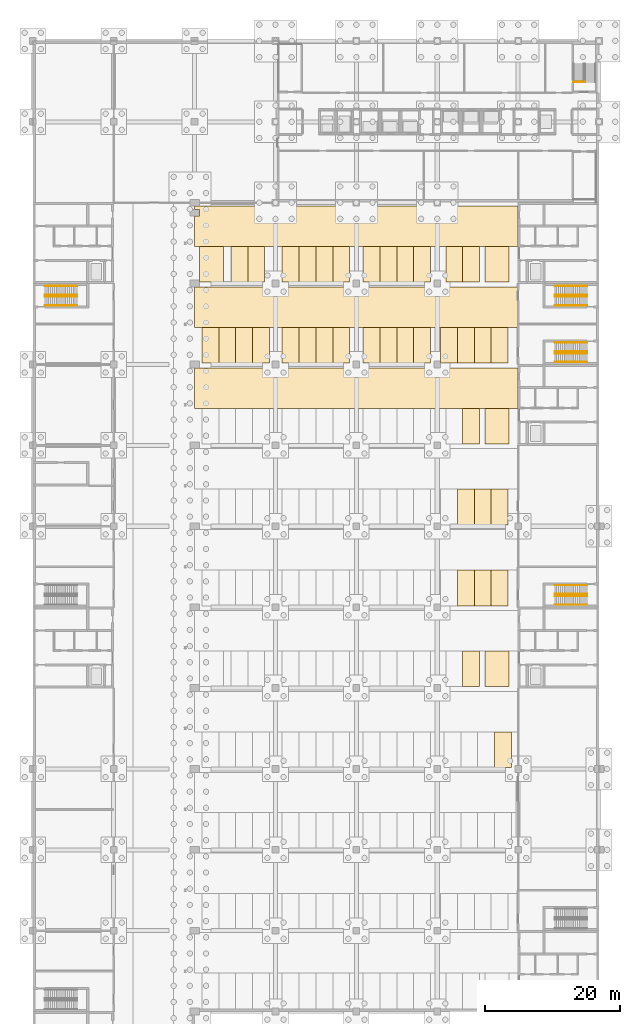
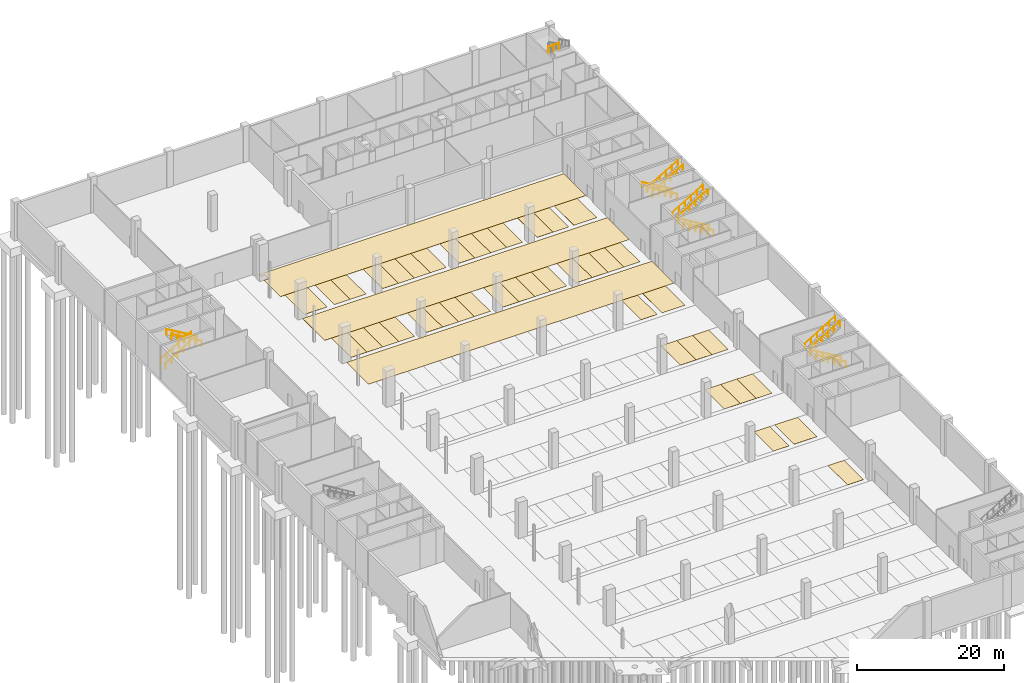
# One storey, part 32 of 34: 44 coverings, 17 railings.
"""IFC4 building model written with IfcOpenShell, lengths in metres."""

from ifc_helpers import new_model, si_unit, direction, frame, origin, origin_2d, place, context, subcontext, project, spatial, polyline, circle, outline, extrude, material, layer, layer_set, constituent, constituent_set, type_object, element, save


model = new_model("IFC4")

# Units and contexts
model_context = context("Model", 3, precision=1e-05, world=origin(), true_north=direction((0.0, 1.0)))
body_context = subcontext(model_context, "Body", "Model", "MODEL_VIEW")
ifc_project = project(units=[si_unit("LENGTHUNIT", "METRE"), si_unit("AREAUNIT", "SQUARE_METRE"), si_unit("VOLUMEUNIT", "CUBIC_METRE"), si_unit("PLANEANGLEUNIT", "RADIAN"), si_unit("MASSUNIT", "GRAM", prefix="KILO")], contexts=[model_context])

# Site, building, storey
site_placement = place(None, origin())
site = spatial("IfcSite", under=ifc_project, at=site_placement, CompositionType="ELEMENT")
building_placement = place(site_placement, origin())
building = spatial("IfcBuilding", under=site, at=building_placement, Name="Lilac Gate Convention Centre", CompositionType="ELEMENT")
storey_placement = place(building_placement, frame((0.0, 0.0, -6.0)))
storey = spatial("IfcBuildingStorey", under=building, at=storey_placement, Name="B1", CompositionType="ELEMENT", Elevation=-6.0)

# Coverings
ifc_material_1 = material(Name="Floor marking paint")
ifc_layer_1 = layer(ifc_material_1, 0.010009765625)
ifc_layer_set_1 = layer_set([ifc_layer_1], Name="Floor marking paint")
covering_type_1 = type_object("IfcCoveringType", Name="Accessible parking bay marking 3600 x 5300", PredefinedType="FLOORING", material=ifc_layer_set_1)
covering_1_placement = place(storey_placement, origin())
element("IfcCovering", 1, at=covering_1_placement, inside=storey, type_object=covering_type_1, Name="Accessible parking bay marking 3", PredefinedType="FLOORING", context=body_context, shape_type="SweptSolid", body=[
    extrude(outline(polyline([(73.050048828125, 150.199951171875), (76.64990234375, 150.199951171875), (76.64990234375, 155.5), (73.050048828125, 155.5), (73.050048828125, 150.199951171875)])), origin(), (0.0, 0.0, 1.0), 0.010009765625),
])
covering_2_placement = place(storey_placement, origin())
element("IfcCovering", 2, at=covering_2_placement, inside=storey, type_object=covering_type_1, Name="Accessible parking bay marking 4", PredefinedType="FLOORING", context=body_context, shape_type="SweptSolid", body=[
    extrude(outline(polyline([(73.050048828125, 186.199951171875), (76.64990234375, 186.199951171875), (76.64990234375, 191.5), (73.050048828125, 191.5), (73.050048828125, 186.199951171875)])), origin(), (0.0, 0.0, 1.0), 0.010009765625),
])
covering_3_placement = place(storey_placement, origin())
element("IfcCovering", 3, at=covering_3_placement, inside=storey, type_object=covering_type_1, Name="Accessible parking bay marking 5", PredefinedType="FLOORING", context=body_context, shape_type="SweptSolid", body=[
    extrude(outline(polyline([(30.699951171875, 210.199951171875), (34.300048828125, 210.199951171875), (34.300048828125, 215.5), (30.699951171875, 215.5), (30.699951171875, 210.199951171875)])), origin(), (0.0, 0.0, 1.0), 0.010009765625),
])
covering_4_placement = place(storey_placement, origin())
element("IfcCovering", 4, at=covering_4_placement, inside=storey, type_object=covering_type_1, Name="Accessible parking bay marking 6", PredefinedType="FLOORING", context=body_context, shape_type="SweptSolid", body=[
    extrude(outline(polyline([(73.050048828125, 210.199951171875), (76.64990234375, 210.199951171875), (76.64990234375, 215.5), (73.050048828125, 215.5), (73.050048828125, 210.199951171875)])), origin(), (0.0, 0.0, 1.0), 0.010009765625),
])
ifc_layer_2 = layer(ifc_material_1, 0.010009765625)
ifc_layer_set_2 = layer_set([ifc_layer_2], Name="Floor marking paint")
covering_type_2 = type_object("IfcCoveringType", Name="Parking bay marking 2500 x 5300", PredefinedType="FLOORING", material=ifc_layer_set_2)
covering_5_placement = place(storey_placement, origin())
element("IfcCovering", 5, at=covering_5_placement, inside=storey, type_object=covering_type_2, Name="Parking bay marking 62", PredefinedType="FLOORING", context=body_context, shape_type="SweptSolid", body=[
    extrude(outline(polyline([(74.5, 138.199951171875), (77.0, 138.199951171875), (77.0, 143.5), (74.5, 143.5), (74.5, 138.199951171875)])), origin(), (0.0, 0.0, 1.0), 0.010009765625),
])
covering_6_placement = place(storey_placement, origin())
element("IfcCovering", 6, at=covering_6_placement, inside=storey, type_object=covering_type_2, Name="Parking bay marking 74", PredefinedType="FLOORING", context=body_context, shape_type="SweptSolid", body=[
    extrude(outline(polyline([(69.77490234375, 150.199951171875), (72.27490234375, 150.199951171875), (72.27490234375, 155.5), (69.77490234375, 155.5), (69.77490234375, 150.199951171875)])), origin(), (0.0, 0.0, 1.0), 0.010009765625),
])
covering_7_placement = place(storey_placement, origin())
element("IfcCovering", 7, at=covering_7_placement, inside=storey, type_object=covering_type_2, Name="Parking bay marking 88", PredefinedType="FLOORING", context=body_context, shape_type="SweptSolid", body=[
    extrude(outline(polyline([(69.0, 162.199951171875), (71.5, 162.199951171875), (71.5, 167.5), (69.0, 167.5), (69.0, 162.199951171875)])), origin(), (0.0, 0.0, 1.0), 0.010009765625),
])
covering_8_placement = place(storey_placement, origin())
element("IfcCovering", 8, at=covering_8_placement, inside=storey, type_object=covering_type_2, Name="Parking bay marking 89", PredefinedType="FLOORING", context=body_context, shape_type="SweptSolid", body=[
    extrude(outline(polyline([(71.5, 162.199951171875), (74.0, 162.199951171875), (74.0, 167.5), (71.5, 167.5), (71.5, 162.199951171875)])), origin(), (0.0, 0.0, 1.0), 0.010009765625),
])
covering_9_placement = place(storey_placement, origin())
element("IfcCovering", 9, at=covering_9_placement, inside=storey, type_object=covering_type_2, Name="Parking bay marking 90", PredefinedType="FLOORING", context=body_context, shape_type="SweptSolid", body=[
    extrude(outline(polyline([(74.0, 162.199951171875), (76.5, 162.199951171875), (76.5, 167.5), (74.0, 167.5), (74.0, 162.199951171875)])), origin(), (0.0, 0.0, 1.0), 0.010009765625),
])
covering_10_placement = place(storey_placement, origin())
element("IfcCovering", 10, at=covering_10_placement, inside=storey, type_object=covering_type_2, Name="Parking bay marking 104", PredefinedType="FLOORING", context=body_context, shape_type="SweptSolid", body=[
    extrude(outline(polyline([(69.0, 174.199951171875), (71.5, 174.199951171875), (71.5, 179.5), (69.0, 179.5), (69.0, 174.199951171875)])), origin(), (0.0, 0.0, 1.0), 0.010009765625),
])
covering_11_placement = place(storey_placement, origin())
element("IfcCovering", 11, at=covering_11_placement, inside=storey, type_object=covering_type_2, Name="Parking bay marking 105", PredefinedType="FLOORING", context=body_context, shape_type="SweptSolid", body=[
    extrude(outline(polyline([(71.5, 174.199951171875), (74.0, 174.199951171875), (74.0, 179.5), (71.5, 179.5), (71.5, 174.199951171875)])), origin(), (0.0, 0.0, 1.0), 0.010009765625),
])
covering_12_placement = place(storey_placement, origin())
element("IfcCovering", 12, at=covering_12_placement, inside=storey, type_object=covering_type_2, Name="Parking bay marking 106", PredefinedType="FLOORING", context=body_context, shape_type="SweptSolid", body=[
    extrude(outline(polyline([(74.0, 174.199951171875), (76.5, 174.199951171875), (76.5, 179.5), (74.0, 179.5), (74.0, 174.199951171875)])), origin(), (0.0, 0.0, 1.0), 0.010009765625),
])
covering_13_placement = place(storey_placement, origin())
element("IfcCovering", 13, at=covering_13_placement, inside=storey, type_object=covering_type_2, Name="Parking bay marking 120", PredefinedType="FLOORING", context=body_context, shape_type="SweptSolid", body=[
    extrude(outline(polyline([(69.77490234375, 186.199951171875), (72.27490234375, 186.199951171875), (72.27490234375, 191.5), (69.77490234375, 191.5), (69.77490234375, 186.199951171875)])), origin(), (0.0, 0.0, 1.0), 0.010009765625),
])
covering_14_placement = place(storey_placement, origin())
element("IfcCovering", 14, at=covering_14_placement, inside=storey, type_object=covering_type_2, Name="Parking bay marking 121", PredefinedType="FLOORING", context=body_context, shape_type="SweptSolid", body=[
    extrude(outline(polyline([(31.10009765625, 198.199951171875), (33.60009765625, 198.199951171875), (33.60009765625, 203.5), (31.10009765625, 203.5), (31.10009765625, 198.199951171875)])), origin(), (0.0, 0.0, 1.0), 0.010009765625),
])
covering_15_placement = place(storey_placement, origin())
element("IfcCovering", 15, at=covering_15_placement, inside=storey, type_object=covering_type_2, Name="Parking bay marking 122", PredefinedType="FLOORING", context=body_context, shape_type="SweptSolid", body=[
    extrude(outline(polyline([(33.60009765625, 198.199951171875), (36.10009765625, 198.199951171875), (36.10009765625, 203.5), (33.60009765625, 203.5), (33.60009765625, 198.199951171875)])), origin(), (0.0, 0.0, 1.0), 0.010009765625),
])
covering_16_placement = place(storey_placement, origin())
element("IfcCovering", 16, at=covering_16_placement, inside=storey, type_object=covering_type_2, Name="Parking bay marking 123", PredefinedType="FLOORING", context=body_context, shape_type="SweptSolid", body=[
    extrude(outline(polyline([(36.10009765625, 198.199951171875), (38.60009765625, 198.199951171875), (38.60009765625, 203.5), (36.10009765625, 203.5), (36.10009765625, 198.199951171875)])), origin(), (0.0, 0.0, 1.0), 0.010009765625),
])
covering_17_placement = place(storey_placement, origin())
element("IfcCovering", 17, at=covering_17_placement, inside=storey, type_object=covering_type_2, Name="Parking bay marking 124", PredefinedType="FLOORING", context=body_context, shape_type="SweptSolid", body=[
    extrude(outline(polyline([(38.60009765625, 198.199951171875), (41.10009765625, 198.199951171875), (41.10009765625, 203.5), (38.60009765625, 203.5), (38.60009765625, 198.199951171875)])), origin(), (0.0, 0.0, 1.0), 0.010009765625),
])
covering_18_placement = place(storey_placement, origin())
element("IfcCovering", 18, at=covering_18_placement, inside=storey, type_object=covering_type_2, Name="Parking bay marking 125", PredefinedType="FLOORING", context=body_context, shape_type="SweptSolid", body=[
    extrude(outline(polyline([(43.0, 198.199951171875), (45.5, 198.199951171875), (45.5, 203.5), (43.0, 203.5), (43.0, 198.199951171875)])), origin(), (0.0, 0.0, 1.0), 0.010009765625),
])
covering_19_placement = place(storey_placement, origin())
element("IfcCovering", 19, at=covering_19_placement, inside=storey, type_object=covering_type_2, Name="Parking bay marking 126", PredefinedType="FLOORING", context=body_context, shape_type="SweptSolid", body=[
    extrude(outline(polyline([(45.5, 198.199951171875), (48.0, 198.199951171875), (48.0, 203.5), (45.5, 203.5), (45.5, 198.199951171875)])), origin(), (0.0, 0.0, 1.0), 0.010009765625),
])
covering_20_placement = place(storey_placement, origin())
element("IfcCovering", 20, at=covering_20_placement, inside=storey, type_object=covering_type_2, Name="Parking bay marking 127", PredefinedType="FLOORING", context=body_context, shape_type="SweptSolid", body=[
    extrude(outline(polyline([(48.0, 198.199951171875), (50.5, 198.199951171875), (50.5, 203.5), (48.0, 203.5), (48.0, 198.199951171875)])), origin(), (0.0, 0.0, 1.0), 0.010009765625),
])
covering_21_placement = place(storey_placement, origin())
element("IfcCovering", 21, at=covering_21_placement, inside=storey, type_object=covering_type_2, Name="Parking bay marking 128", PredefinedType="FLOORING", context=body_context, shape_type="SweptSolid", body=[
    extrude(outline(polyline([(50.5, 198.199951171875), (53.0, 198.199951171875), (53.0, 203.5), (50.5, 203.5), (50.5, 198.199951171875)])), origin(), (0.0, 0.0, 1.0), 0.010009765625),
])
covering_22_placement = place(storey_placement, origin())
element("IfcCovering", 22, at=covering_22_placement, inside=storey, type_object=covering_type_2, Name="Parking bay marking 129", PredefinedType="FLOORING", context=body_context, shape_type="SweptSolid", body=[
    extrude(outline(polyline([(55.0, 198.199951171875), (57.5, 198.199951171875), (57.5, 203.5), (55.0, 203.5), (55.0, 198.199951171875)])), origin(), (0.0, 0.0, 1.0), 0.010009765625),
])
covering_23_placement = place(storey_placement, origin())
element("IfcCovering", 23, at=covering_23_placement, inside=storey, type_object=covering_type_2, Name="Parking bay marking 130", PredefinedType="FLOORING", context=body_context, shape_type="SweptSolid", body=[
    extrude(outline(polyline([(57.5, 198.199951171875), (60.0, 198.199951171875), (60.0, 203.5), (57.5, 203.5), (57.5, 198.199951171875)])), origin(), (0.0, 0.0, 1.0), 0.010009765625),
])
covering_24_placement = place(storey_placement, origin())
element("IfcCovering", 24, at=covering_24_placement, inside=storey, type_object=covering_type_2, Name="Parking bay marking 131", PredefinedType="FLOORING", context=body_context, shape_type="SweptSolid", body=[
    extrude(outline(polyline([(60.0, 198.199951171875), (62.5, 198.199951171875), (62.5, 203.5), (60.0, 203.5), (60.0, 198.199951171875)])), origin(), (0.0, 0.0, 1.0), 0.010009765625),
])
covering_25_placement = place(storey_placement, origin())
element("IfcCovering", 25, at=covering_25_placement, inside=storey, type_object=covering_type_2, Name="Parking bay marking 132", PredefinedType="FLOORING", context=body_context, shape_type="SweptSolid", body=[
    extrude(outline(polyline([(62.5, 198.199951171875), (65.0, 198.199951171875), (65.0, 203.5), (62.5, 203.5), (62.5, 198.199951171875)])), origin(), (0.0, 0.0, 1.0), 0.010009765625),
])
covering_26_placement = place(storey_placement, origin())
element("IfcCovering", 26, at=covering_26_placement, inside=storey, type_object=covering_type_2, Name="Parking bay marking 133", PredefinedType="FLOORING", context=body_context, shape_type="SweptSolid", body=[
    extrude(outline(polyline([(66.5, 198.199951171875), (69.0, 198.199951171875), (69.0, 203.5), (66.5, 203.5), (66.5, 198.199951171875)])), origin(), (0.0, 0.0, 1.0), 0.010009765625),
])
covering_27_placement = place(storey_placement, origin())
element("IfcCovering", 27, at=covering_27_placement, inside=storey, type_object=covering_type_2, Name="Parking bay marking 134", PredefinedType="FLOORING", context=body_context, shape_type="SweptSolid", body=[
    extrude(outline(polyline([(69.0, 198.199951171875), (71.5, 198.199951171875), (71.5, 203.5), (69.0, 203.5), (69.0, 198.199951171875)])), origin(), (0.0, 0.0, 1.0), 0.010009765625),
])
covering_28_placement = place(storey_placement, origin())
element("IfcCovering", 28, at=covering_28_placement, inside=storey, type_object=covering_type_2, Name="Parking bay marking 135", PredefinedType="FLOORING", context=body_context, shape_type="SweptSolid", body=[
    extrude(outline(polyline([(71.5, 198.199951171875), (74.0, 198.199951171875), (74.0, 203.5), (71.5, 203.5), (71.5, 198.199951171875)])), origin(), (0.0, 0.0, 1.0), 0.010009765625),
])
covering_29_placement = place(storey_placement, origin())
element("IfcCovering", 29, at=covering_29_placement, inside=storey, type_object=covering_type_2, Name="Parking bay marking 136", PredefinedType="FLOORING", context=body_context, shape_type="SweptSolid", body=[
    extrude(outline(polyline([(74.0, 198.199951171875), (76.5, 198.199951171875), (76.5, 203.5), (74.0, 203.5), (74.0, 198.199951171875)])), origin(), (0.0, 0.0, 1.0), 0.010009765625),
])
covering_30_placement = place(storey_placement, origin())
element("IfcCovering", 30, at=covering_30_placement, inside=storey, type_object=covering_type_2, Name="Parking bay marking 137", PredefinedType="FLOORING", context=body_context, shape_type="SweptSolid", body=[
    extrude(outline(polyline([(35.39990234375, 210.199951171875), (37.89990234375, 210.199951171875), (37.89990234375, 215.5), (35.39990234375, 215.5), (35.39990234375, 210.199951171875)])), origin(), (0.0, 0.0, 1.0), 0.010009765625),
])
covering_31_placement = place(storey_placement, origin())
element("IfcCovering", 31, at=covering_31_placement, inside=storey, type_object=covering_type_2, Name="Parking bay marking 138", PredefinedType="FLOORING", context=body_context, shape_type="SweptSolid", body=[
    extrude(outline(polyline([(37.89990234375, 210.199951171875), (40.39990234375, 210.199951171875), (40.39990234375, 215.5), (37.89990234375, 215.5), (37.89990234375, 210.199951171875)])), origin(), (0.0, 0.0, 1.0), 0.010009765625),
])
covering_32_placement = place(storey_placement, origin())
element("IfcCovering", 32, at=covering_32_placement, inside=storey, type_object=covering_type_2, Name="Parking bay marking 139", PredefinedType="FLOORING", context=body_context, shape_type="SweptSolid", body=[
    extrude(outline(polyline([(43.0, 210.199951171875), (45.5, 210.199951171875), (45.5, 215.5), (43.0, 215.5), (43.0, 210.199951171875)])), origin(), (0.0, 0.0, 1.0), 0.010009765625),
])
covering_33_placement = place(storey_placement, origin())
element("IfcCovering", 33, at=covering_33_placement, inside=storey, type_object=covering_type_2, Name="Parking bay marking 140", PredefinedType="FLOORING", context=body_context, shape_type="SweptSolid", body=[
    extrude(outline(polyline([(45.5, 210.199951171875), (48.0, 210.199951171875), (48.0, 215.5), (45.5, 215.5), (45.5, 210.199951171875)])), origin(), (0.0, 0.0, 1.0), 0.010009765625),
])
covering_34_placement = place(storey_placement, origin())
element("IfcCovering", 34, at=covering_34_placement, inside=storey, type_object=covering_type_2, Name="Parking bay marking 141", PredefinedType="FLOORING", context=body_context, shape_type="SweptSolid", body=[
    extrude(outline(polyline([(48.0, 210.199951171875), (50.5, 210.199951171875), (50.5, 215.5), (48.0, 215.5), (48.0, 210.199951171875)])), origin(), (0.0, 0.0, 1.0), 0.010009765625),
])
covering_35_placement = place(storey_placement, origin())
element("IfcCovering", 35, at=covering_35_placement, inside=storey, type_object=covering_type_2, Name="Parking bay marking 142", PredefinedType="FLOORING", context=body_context, shape_type="SweptSolid", body=[
    extrude(outline(polyline([(50.5, 210.199951171875), (53.0, 210.199951171875), (53.0, 215.5), (50.5, 215.5), (50.5, 210.199951171875)])), origin(), (0.0, 0.0, 1.0), 0.010009765625),
])
covering_36_placement = place(storey_placement, origin())
element("IfcCovering", 36, at=covering_36_placement, inside=storey, type_object=covering_type_2, Name="Parking bay marking 143", PredefinedType="FLOORING", context=body_context, shape_type="SweptSolid", body=[
    extrude(outline(polyline([(55.0, 210.199951171875), (57.5, 210.199951171875), (57.5, 215.5), (55.0, 215.5), (55.0, 210.199951171875)])), origin(), (0.0, 0.0, 1.0), 0.010009765625),
])
covering_37_placement = place(storey_placement, origin())
element("IfcCovering", 37, at=covering_37_placement, inside=storey, type_object=covering_type_2, Name="Parking bay marking 144", PredefinedType="FLOORING", context=body_context, shape_type="SweptSolid", body=[
    extrude(outline(polyline([(57.5, 210.199951171875), (60.0, 210.199951171875), (60.0, 215.5), (57.5, 215.5), (57.5, 210.199951171875)])), origin(), (0.0, 0.0, 1.0), 0.010009765625),
])
covering_38_placement = place(storey_placement, origin())
element("IfcCovering", 38, at=covering_38_placement, inside=storey, type_object=covering_type_2, Name="Parking bay marking 145", PredefinedType="FLOORING", context=body_context, shape_type="SweptSolid", body=[
    extrude(outline(polyline([(60.0, 210.199951171875), (62.5, 210.199951171875), (62.5, 215.5), (60.0, 215.5), (60.0, 210.199951171875)])), origin(), (0.0, 0.0, 1.0), 0.010009765625),
])
covering_39_placement = place(storey_placement, origin())
element("IfcCovering", 39, at=covering_39_placement, inside=storey, type_object=covering_type_2, Name="Parking bay marking 146", PredefinedType="FLOORING", context=body_context, shape_type="SweptSolid", body=[
    extrude(outline(polyline([(62.5, 210.199951171875), (65.0, 210.199951171875), (65.0, 215.5), (62.5, 215.5), (62.5, 210.199951171875)])), origin(), (0.0, 0.0, 1.0), 0.010009765625),
])
covering_40_placement = place(storey_placement, origin())
element("IfcCovering", 40, at=covering_40_placement, inside=storey, type_object=covering_type_2, Name="Parking bay marking 147", PredefinedType="FLOORING", context=body_context, shape_type="SweptSolid", body=[
    extrude(outline(polyline([(67.27490234375, 210.199951171875), (69.77490234375, 210.199951171875), (69.77490234375, 215.5), (67.27490234375, 215.5), (67.27490234375, 210.199951171875)])), origin(), (0.0, 0.0, 1.0), 0.010009765625),
])
covering_41_placement = place(storey_placement, origin())
element("IfcCovering", 41, at=covering_41_placement, inside=storey, type_object=covering_type_2, Name="Parking bay marking 148", PredefinedType="FLOORING", context=body_context, shape_type="SweptSolid", body=[
    extrude(outline(polyline([(69.77490234375, 210.199951171875), (72.27490234375, 210.199951171875), (72.27490234375, 215.5), (69.77490234375, 215.5), (69.77490234375, 210.199951171875)])), origin(), (0.0, 0.0, 1.0), 0.010009765625),
])
ifc_layer_3 = layer(ifc_material_1, 0.010009765625)
ifc_layer_set_3 = layer_set([ifc_layer_3], Name="Floor marking paint")
covering_type_3 = type_object("IfcCoveringType", Name="Parking drive aisle marking 6000", PredefinedType="FLOORING", material=ifc_layer_set_3)
covering_42_placement = place(storey_placement, origin())
element("IfcCovering", 42, at=covering_42_placement, inside=storey, type_object=covering_type_3, Name="Parking drive aisle 8", PredefinedType="FLOORING", context=body_context, shape_type="SweptSolid", body=[
    extrude(outline(polyline([(30.0, 191.5), (30.0, 197.5), (78.0, 197.5), (78.0, 191.5), (30.0, 191.5)])), origin(), (0.0, 0.0, 1.0), 0.010009765625),
])
covering_43_placement = place(storey_placement, origin())
element("IfcCovering", 43, at=covering_43_placement, inside=storey, type_object=covering_type_3, Name="Parking drive aisle 9", PredefinedType="FLOORING", context=body_context, shape_type="SweptSolid", body=[
    extrude(outline(polyline([(30.0, 203.5), (30.0, 209.5), (77.89990234375, 209.5), (77.89990234375, 203.5), (30.0, 203.5)])), origin(), (0.0, 0.0, 1.0), 0.010009765625),
])
covering_44_placement = place(storey_placement, origin())
element("IfcCovering", 44, at=covering_44_placement, inside=storey, type_object=covering_type_3, Name="Parking drive aisle 10", PredefinedType="FLOORING", context=body_context, shape_type="SweptSolid", body=[
    extrude(outline(polyline([(30.0, 215.5), (30.0, 220.0), (30.699951171875, 220.0), (30.699951171875, 221.0), (30.0, 221.0), (30.0, 221.5), (78.0, 221.5), (78.0, 215.5), (30.0, 215.5)])), origin(), (0.0, 0.0, 1.0), 0.010009765625),
])

# Railings
ifc_material_2 = material(Name="Stainless steel 304", Category="steel")
ifc_constituent_1 = constituent(ifc_material_2, Name="Frame")
ifc_material_3 = material(Name="Safety glass, bonded interlayer", Category="glass")
ifc_constituent_2 = constituent(ifc_material_3, Name="Infill")
ifc_constituent_set = constituent_set(constituents=[ifc_constituent_1, ifc_constituent_2], Name="Stainless steel 304, Safety glass, bonded interlayer")
railing_type_1 = type_object("IfcRailingType", Name="Stair guard", PredefinedType="GUARDRAIL", material=ifc_constituent_set)
railing_placement = place(storey_placement, frame((86.199951171875, 239.89990234375, 6.0)))
element("IfcRailing", 45, at=railing_placement, inside=storey, type_object=railing_type_1, Name="Stair guard BN L00", PredefinedType="GUARDRAIL", context=body_context, shape_type="SweptSolid", body=[
    extrude(circle(Radius=0.02392578125, at=origin_2d()), frame((0.0, 0.0, 1.076171875), z_axis=(1.0, 0.0, 0.0), x_axis=(0.0, 1.0, 0.0)), (0.0, 0.0, 1.0), 1.699951171875),
    extrude(circle(Radius=0.02099609375, at=origin_2d()), origin(), (0.0, 0.0, 1.0), 1.052001953125),
    extrude(circle(Radius=0.02099609375, at=origin_2d()), frame((0.85009765625, 0.0, 0.0)), (0.0, 0.0, 1.0), 1.052001953125),
    extrude(circle(Radius=0.02099609375, at=origin_2d()), frame((1.699951171875, 0.0, 0.0)), (0.0, 0.0, 1.0), 1.052001953125),
])
railing_type_2 = type_object("IfcRailingType", Name="Stair handrail 900", PredefinedType="HANDRAIL", material=ifc_material_2)
for number, where, name in (
    (46, (7.800048828125, 208.35009765625, 0.166748046875), "Stair handrail BW4"),
    (47, (7.800048828125, 209.64990234375, 0.166748046875), "Stair handrail BW4"),
):
    element("IfcRailing", number, at=place(storey_placement, frame(where)), inside=storey, type_object=railing_type_2, Name=name, PredefinedType="HANDRAIL", context=body_context, shape_type="SweptSolid", body=[
        extrude(circle(Radius=0.02392578125, at=origin_2d()), frame((0.0, 0.0, 0.8759765625), z_axis=(0.859299802514, 0.0, 0.511472237174), x_axis=(0.0, 1.0, 0.0)), (0.0, 0.0, 1.0), 5.539306640625),
        extrude(circle(Radius=0.02099609375, at=origin_2d()), origin(), (0.0, 0.0, 1.0), 0.851806640625),
        extrude(circle(Radius=0.02099609375, at=origin_2d()), frame((0.951904296875, 0.0, 0.566650390625)), (0.0, 0.0, 1.0), 0.851806640625),
        extrude(circle(Radius=0.02099609375, at=origin_2d()), frame((1.904052734375, 0.0, 1.13330078125)), (0.0, 0.0, 1.0), 0.851806640625),
        extrude(circle(Radius=0.02099609375, at=origin_2d()), frame((2.85595703125, 0.0, 1.699951171875)), (0.0, 0.0, 1.0), 0.851806640625),
        extrude(circle(Radius=0.02099609375, at=origin_2d()), frame((3.80810546875, 0.0, 2.2666015625)), (0.0, 0.0, 1.0), 0.851806640625),
        extrude(circle(Radius=0.02099609375, at=origin_2d()), frame((4.760009765625, 0.0, 2.833251953125)), (0.0, 0.0, 1.0), 0.851806640625),
    ])
for number, where, name in (
    (48, (12.56005859375, 206.75, 3.166748046875), "Stair handrail BW4"),
    (49, (12.56005859375, 208.050048828125, 3.166748046875), "Stair handrail BW4"),
    (50, (88.199951171875, 162.35009765625, 0.166748046875), "Stair handrail BE2"),
    (51, (88.199951171875, 163.64990234375, 0.166748046875), "Stair handrail BE2"),
):
    element("IfcRailing", number, at=place(storey_placement, frame(where)), inside=storey, type_object=railing_type_2, Name=name, PredefinedType="HANDRAIL", context=body_context, shape_type="SweptSolid", body=[
        extrude(circle(Radius=0.02392578125, at=origin_2d()), frame((0.0, 0.0, 0.8759765625), z_axis=(-0.859299802514, 0.0, 0.511472237174), x_axis=(0.0, -1.0, 0.0)), (0.0, 0.0, 1.0), 5.539306640625),
        extrude(circle(Radius=0.02099609375, at=origin_2d()), origin(), (0.0, 0.0, 1.0), 0.851806640625),
        extrude(circle(Radius=0.02099609375, at=origin_2d()), frame((-0.951904296875, 0.0, 0.566650390625)), (0.0, 0.0, 1.0), 0.851806640625),
        extrude(circle(Radius=0.02099609375, at=origin_2d()), frame((-1.904052734375, 0.0, 1.13330078125)), (0.0, 0.0, 1.0), 0.851806640625),
        extrude(circle(Radius=0.02099609375, at=origin_2d()), frame((-2.85595703125, 0.0, 1.699951171875)), (0.0, 0.0, 1.0), 0.851806640625),
        extrude(circle(Radius=0.02099609375, at=origin_2d()), frame((-3.80810546875, 0.0, 2.2666015625)), (0.0, 0.0, 1.0), 0.851806640625),
        extrude(circle(Radius=0.02099609375, at=origin_2d()), frame((-4.760009765625, 0.0, 2.833251953125)), (0.0, 0.0, 1.0), 0.851806640625),
    ])
for number, where, name in (
    (52, (83.43994140625, 163.949951171875, 3.166748046875), "Stair handrail BE2"),
    (53, (83.43994140625, 165.25, 3.166748046875), "Stair handrail BE2"),
):
    element("IfcRailing", number, at=place(storey_placement, frame(where)), inside=storey, type_object=railing_type_2, Name=name, PredefinedType="HANDRAIL", context=body_context, shape_type="SweptSolid", body=[
        extrude(circle(Radius=0.02392578125, at=origin_2d()), frame((0.0, 0.0, 0.8759765625), z_axis=(0.859299802514, 0.0, 0.511472237174), x_axis=(0.0, 1.0, 0.0)), (0.0, 0.0, 1.0), 5.539306640625),
        extrude(circle(Radius=0.02099609375, at=origin_2d()), origin(), (0.0, 0.0, 1.0), 0.851806640625),
        extrude(circle(Radius=0.02099609375, at=origin_2d()), frame((0.951904296875, 0.0, 0.566650390625)), (0.0, 0.0, 1.0), 0.851806640625),
        extrude(circle(Radius=0.02099609375, at=origin_2d()), frame((1.904052734375, 0.0, 1.13330078125)), (0.0, 0.0, 1.0), 0.851806640625),
        extrude(circle(Radius=0.02099609375, at=origin_2d()), frame((2.85595703125, 0.0, 1.699951171875)), (0.0, 0.0, 1.0), 0.851806640625),
        extrude(circle(Radius=0.02099609375, at=origin_2d()), frame((3.80810546875, 0.0, 2.2666015625)), (0.0, 0.0, 1.0), 0.851806640625),
        extrude(circle(Radius=0.02099609375, at=origin_2d()), frame((4.760009765625, 0.0, 2.833251953125)), (0.0, 0.0, 1.0), 0.851806640625),
    ])
for number, where, name in (
    (54, (88.199951171875, 198.35009765625, 0.166748046875), "Stair handrail BE3"),
    (55, (88.199951171875, 199.64990234375, 0.166748046875), "Stair handrail BE3"),
):
    element("IfcRailing", number, at=place(storey_placement, frame(where)), inside=storey, type_object=railing_type_2, Name=name, PredefinedType="HANDRAIL", context=body_context, shape_type="SweptSolid", body=[
        extrude(circle(Radius=0.02392578125, at=origin_2d()), frame((0.0, 0.0, 0.8759765625), z_axis=(-0.859299802514, 0.0, 0.511472237174), x_axis=(0.0, -1.0, 0.0)), (0.0, 0.0, 1.0), 5.539306640625),
        extrude(circle(Radius=0.02099609375, at=origin_2d()), origin(), (0.0, 0.0, 1.0), 0.851806640625),
        extrude(circle(Radius=0.02099609375, at=origin_2d()), frame((-0.951904296875, 0.0, 0.566650390625)), (0.0, 0.0, 1.0), 0.851806640625),
        extrude(circle(Radius=0.02099609375, at=origin_2d()), frame((-1.904052734375, 0.0, 1.13330078125)), (0.0, 0.0, 1.0), 0.851806640625),
        extrude(circle(Radius=0.02099609375, at=origin_2d()), frame((-2.85595703125, 0.0, 1.699951171875)), (0.0, 0.0, 1.0), 0.851806640625),
        extrude(circle(Radius=0.02099609375, at=origin_2d()), frame((-3.80810546875, 0.0, 2.2666015625)), (0.0, 0.0, 1.0), 0.851806640625),
        extrude(circle(Radius=0.02099609375, at=origin_2d()), frame((-4.760009765625, 0.0, 2.833251953125)), (0.0, 0.0, 1.0), 0.851806640625),
    ])
for number, where, name in (
    (56, (83.43994140625, 199.949951171875, 3.166748046875), "Stair handrail BE3"),
    (57, (83.43994140625, 201.25, 3.166748046875), "Stair handrail BE3"),
):
    element("IfcRailing", number, at=place(storey_placement, frame(where)), inside=storey, type_object=railing_type_2, Name=name, PredefinedType="HANDRAIL", context=body_context, shape_type="SweptSolid", body=[
        extrude(circle(Radius=0.02392578125, at=origin_2d()), frame((0.0, 0.0, 0.8759765625), z_axis=(0.859299802514, 0.0, 0.511472237174), x_axis=(0.0, 1.0, 0.0)), (0.0, 0.0, 1.0), 5.539306640625),
        extrude(circle(Radius=0.02099609375, at=origin_2d()), origin(), (0.0, 0.0, 1.0), 0.851806640625),
        extrude(circle(Radius=0.02099609375, at=origin_2d()), frame((0.951904296875, 0.0, 0.566650390625)), (0.0, 0.0, 1.0), 0.851806640625),
        extrude(circle(Radius=0.02099609375, at=origin_2d()), frame((1.904052734375, 0.0, 1.13330078125)), (0.0, 0.0, 1.0), 0.851806640625),
        extrude(circle(Radius=0.02099609375, at=origin_2d()), frame((2.85595703125, 0.0, 1.699951171875)), (0.0, 0.0, 1.0), 0.851806640625),
        extrude(circle(Radius=0.02099609375, at=origin_2d()), frame((3.80810546875, 0.0, 2.2666015625)), (0.0, 0.0, 1.0), 0.851806640625),
        extrude(circle(Radius=0.02099609375, at=origin_2d()), frame((4.760009765625, 0.0, 2.833251953125)), (0.0, 0.0, 1.0), 0.851806640625),
    ])
for number, where, name in (
    (58, (88.199951171875, 208.35009765625, 0.166748046875), "Stair handrail BE4"),
    (59, (88.199951171875, 209.64990234375, 0.166748046875), "Stair handrail BE4"),
):
    element("IfcRailing", number, at=place(storey_placement, frame(where)), inside=storey, type_object=railing_type_2, Name=name, PredefinedType="HANDRAIL", context=body_context, shape_type="SweptSolid", body=[
        extrude(circle(Radius=0.02392578125, at=origin_2d()), frame((0.0, 0.0, 0.8759765625), z_axis=(-0.859299802514, 0.0, 0.511472237174), x_axis=(0.0, -1.0, 0.0)), (0.0, 0.0, 1.0), 5.539306640625),
        extrude(circle(Radius=0.02099609375, at=origin_2d()), origin(), (0.0, 0.0, 1.0), 0.851806640625),
        extrude(circle(Radius=0.02099609375, at=origin_2d()), frame((-0.951904296875, 0.0, 0.566650390625)), (0.0, 0.0, 1.0), 0.851806640625),
        extrude(circle(Radius=0.02099609375, at=origin_2d()), frame((-1.904052734375, 0.0, 1.13330078125)), (0.0, 0.0, 1.0), 0.851806640625),
        extrude(circle(Radius=0.02099609375, at=origin_2d()), frame((-2.85595703125, 0.0, 1.699951171875)), (0.0, 0.0, 1.0), 0.851806640625),
        extrude(circle(Radius=0.02099609375, at=origin_2d()), frame((-3.80810546875, 0.0, 2.2666015625)), (0.0, 0.0, 1.0), 0.851806640625),
        extrude(circle(Radius=0.02099609375, at=origin_2d()), frame((-4.760009765625, 0.0, 2.833251953125)), (0.0, 0.0, 1.0), 0.851806640625),
    ])
for number, where, name in (
    (60, (83.43994140625, 206.75, 3.166748046875), "Stair handrail BE4"),
    (61, (83.43994140625, 208.050048828125, 3.166748046875), "Stair handrail BE4"),
):
    element("IfcRailing", number, at=place(storey_placement, frame(where)), inside=storey, type_object=railing_type_2, Name=name, PredefinedType="HANDRAIL", context=body_context, shape_type="SweptSolid", body=[
        extrude(circle(Radius=0.02392578125, at=origin_2d()), frame((0.0, 0.0, 0.8759765625), z_axis=(0.859299802514, 0.0, 0.511472237174), x_axis=(0.0, 1.0, 0.0)), (0.0, 0.0, 1.0), 5.539306640625),
        extrude(circle(Radius=0.02099609375, at=origin_2d()), origin(), (0.0, 0.0, 1.0), 0.851806640625),
        extrude(circle(Radius=0.02099609375, at=origin_2d()), frame((0.951904296875, 0.0, 0.566650390625)), (0.0, 0.0, 1.0), 0.851806640625),
        extrude(circle(Radius=0.02099609375, at=origin_2d()), frame((1.904052734375, 0.0, 1.13330078125)), (0.0, 0.0, 1.0), 0.851806640625),
        extrude(circle(Radius=0.02099609375, at=origin_2d()), frame((2.85595703125, 0.0, 1.699951171875)), (0.0, 0.0, 1.0), 0.851806640625),
        extrude(circle(Radius=0.02099609375, at=origin_2d()), frame((3.80810546875, 0.0, 2.2666015625)), (0.0, 0.0, 1.0), 0.851806640625),
        extrude(circle(Radius=0.02099609375, at=origin_2d()), frame((4.760009765625, 0.0, 2.833251953125)), (0.0, 0.0, 1.0), 0.851806640625),
    ])

save(model, "model.ifc")
